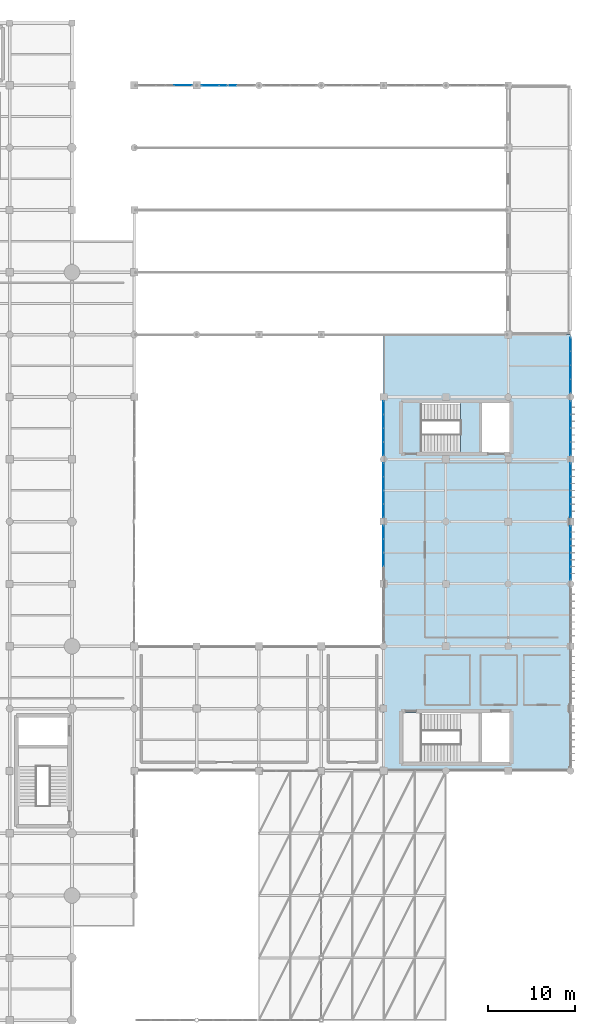
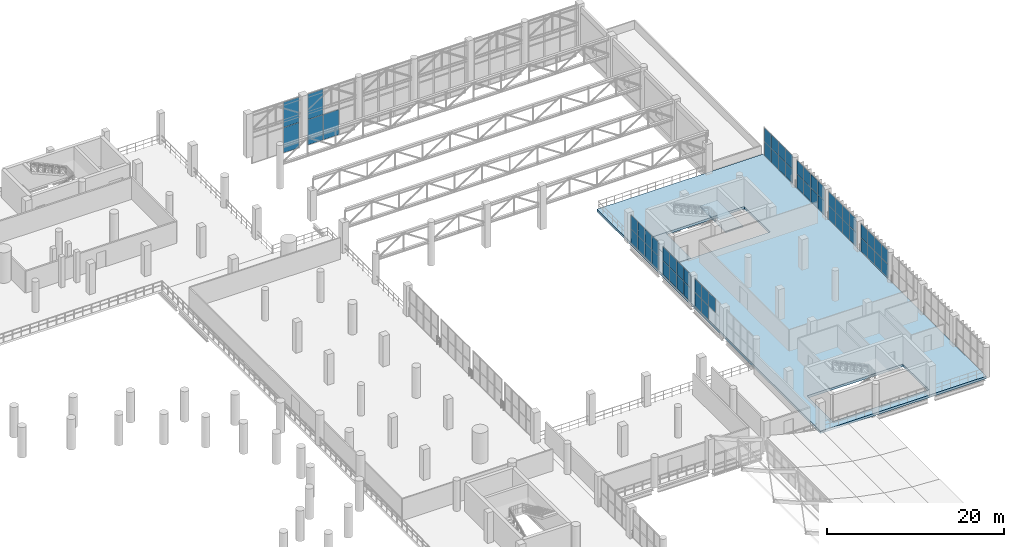
# One storey, part 127 of 153: 58 plates, 3 slabs, 10 elements without a shape of their own.
"""IFC4 building model written with IfcOpenShell, lengths in metres."""

import ifcopenshell
import ifcopenshell.guid

model = None  # the IFC model being written
_history = None  # IfcOwnerHistory: only IFC2X3 demands one
_inside = {}  # id of a spatial element -> (the spatial element, [elements in it])
_under = {}  # id of a project, library or spatial element -> (it, [spatial elements below it])
_declared = {}  # id of a project -> (the project, [libraries it declares])
_typed = {}  # id of a type object -> (the type object, [elements of that type])
_made_of = {}  # id of a material, layer set ... -> (it, [elements and type objects made of it])


def new_model(schema):
    """Start an empty IFC model of exactly this schema.

    Asked for "IFC4X3", IfcOpenShell would pick the latest addendum, in which some entities
    have other attributes; the version numbers below select the first issue.
    IFC2X3 requires an IfcOwnerHistory on every rooted entity: one is made here for all.
    """
    global model, _history
    if schema == "IFC4X3":
        model = ifcopenshell.file(schema_version=(4, 3, 0, 0))
    else:
        model = ifcopenshell.file(schema=schema)
    _inside.clear()
    _under.clear()
    _declared.clear()
    _typed.clear()
    _made_of.clear()
    _history = None
    if model.schema == "IFC2X3":
        org = make("IfcOrganization", Name="unknown")
        user = make(
            "IfcPersonAndOrganization",
            ThePerson=make("IfcPerson", FamilyName="unknown"),
            TheOrganization=org,
        )
        app = make(
            "IfcApplication",
            ApplicationDeveloper=org,
            Version="unknown",
            ApplicationFullName="unknown",
            ApplicationIdentifier="unknown",
        )
        _history = make(
            "IfcOwnerHistory",
            OwningUser=user,
            OwningApplication=app,
            ChangeAction="ADDED",
            CreationDate=0,
        )
    return model


def make(cls, **values):
    """One entity of the class cls with the attributes given. An attribute that is None is left unset."""
    return model.create_entity(
        cls, **{name: value for name, value in values.items() if value is not None}
    )


def rooted(cls, **values):
    """An entity with a GlobalId (a new one), such as an element, a storey or a relation."""
    return make(cls, GlobalId=ifcopenshell.guid.new(), OwnerHistory=_history, **values)


def si_unit(unit_type, name, prefix=None):
    """IfcSIUnit, for example si_unit("LENGTHUNIT", "METRE", prefix="MILLI")."""
    return make("IfcSIUnit", UnitType=unit_type, Prefix=prefix, Name=name)


def assignment(units):
    """IfcUnitAssignment: the units of a project."""
    return None if units is None else make("IfcUnitAssignment", Units=units)


def point(xyz):
    """IfcCartesianPoint."""
    return None if xyz is None else make("IfcCartesianPoint", Coordinates=xyz)


def direction(xyz):
    """IfcDirection."""
    return None if xyz is None else make("IfcDirection", DirectionRatios=xyz)


def frame(location, z_axis=None, x_axis=None):
    """IfcAxis2Placement3D, a coordinate frame: its origin and axes. An axis left out is left unset."""
    return make(
        "IfcAxis2Placement3D",
        Location=point(location),
        Axis=direction(z_axis),
        RefDirection=direction(x_axis),
    )


def frame_2d(location, x_axis=None):
    """IfcAxis2Placement2D, a coordinate frame in the plane: its origin and x axis."""
    return make(
        "IfcAxis2Placement2D", Location=point(location), RefDirection=direction(x_axis)
    )


def origin():
    """The frame at (0, 0, 0) with its axes left unset."""
    return frame((0.0, 0.0, 0.0))


def origin_2d():
    """The frame at (0, 0) in the plane with its x axis left unset."""
    return frame_2d((0.0, 0.0))


def place(relative_to, where):
    """IfcLocalPlacement: puts the frame where relative to a parent placement (None: the world)."""
    return make(
        "IfcLocalPlacement", PlacementRelTo=relative_to, RelativePlacement=where
    )


def context(
    kind, dimensions, precision=None, world=None, true_north=None, identifier=None
):
    """IfcGeometricRepresentationContext, for example the 3D "Model" context."""
    return make(
        "IfcGeometricRepresentationContext",
        ContextIdentifier=identifier,
        ContextType=kind,
        CoordinateSpaceDimension=dimensions,
        Precision=precision,
        WorldCoordinateSystem=world,
        TrueNorth=true_north,
    )


def subcontext(parent, identifier, kind, view, scale=None):
    """IfcGeometricRepresentationSubContext, for example "Body" below "Model"."""
    return make(
        "IfcGeometricRepresentationSubContext",
        ContextIdentifier=identifier,
        ContextType=kind,
        ParentContext=parent,
        TargetScale=scale,
        TargetView=view,
    )


def project(units=None, contexts=None):
    """IfcProject with its units and contexts."""
    return rooted(
        "IfcProject",
        Name="project",
        RepresentationContexts=contexts,
        UnitsInContext=assignment(units),
    )


def spatial(cls, under=None, at=None, **own):
    """A site, building, storey or space (cls), placed at a placement, below another one or the project."""
    s = rooted(cls, ObjectPlacement=at, **own)
    if under is not None:
        _under.setdefault(under.id(), (under, []))[1].append(s)
    return s


def polyline(points):
    """IfcPolyline through the points."""
    return make("IfcPolyline", Points=[point(p) for p in points])


def profile(cls, at=None, kind="AREA", **sizes):
    """A parametric profile (cls). Its sizes go by their IFC names, for example OverallWidth=200.0."""
    return make(cls, ProfileType=kind, Position=at, **sizes)


def rectangle(**sizes):
    """IfcRectangleProfileDef."""
    return profile("IfcRectangleProfileDef", **sizes)


def outline(outer, holes=None, kind="AREA"):
    """IfcArbitraryClosedProfileDef: a profile drawn as a closed curve; with holes, ...WithVoids."""
    if holes is None:
        return make("IfcArbitraryClosedProfileDef", ProfileType=kind, OuterCurve=outer)
    return make(
        "IfcArbitraryProfileDefWithVoids",
        ProfileType=kind,
        OuterCurve=outer,
        InnerCurves=holes,
    )


def extrude(swept, where, along, depth):
    """IfcExtrudedAreaSolid: the profile swept, set in the frame where, extruded along a direction by depth."""
    return make(
        "IfcExtrudedAreaSolid",
        SweptArea=swept,
        Position=where,
        ExtrudedDirection=direction(along),
        Depth=depth,
    )


def shape(context_of_items, identifier, shape_type, items):
    """IfcShapeRepresentation: the items that make up one representation, for example the "Body"."""
    return make(
        "IfcShapeRepresentation",
        ContextOfItems=context_of_items,
        RepresentationIdentifier=identifier,
        RepresentationType=shape_type,
        Items=items,
    )


def material(Name=None, Category=None):
    """IfcMaterial."""
    return make("IfcMaterial", Name=Name, Category=Category)


def layer(
    of_material, thickness, ventilated=None, Name=None, Category=None, Priority=None
):
    """IfcMaterialLayer: one layer of a wall or slab, of a material (None: an air gap)."""
    return make(
        "IfcMaterialLayer",
        Material=of_material,
        LayerThickness=thickness,
        IsVentilated=ventilated,
        Name=Name,
        Category=Category,
        Priority=Priority,
    )


def layer_set(layers, Name=None):
    """IfcMaterialLayerSet."""
    return make("IfcMaterialLayerSet", MaterialLayers=layers, LayerSetName=Name)


def made_of(thing, what):
    """Note that an element or type object is made of a material, layer set ...; save() writes the relation."""
    if what is not None:
        _made_of.setdefault(what.id(), (what, []))[1].append(thing)
    return thing


def type_object(cls, material=None, **own):
    """A type object (cls), such as IfcWallType, which elements share."""
    return made_of(rooted(cls, **own), material)


def element(
    cls,
    number,
    at=None,
    inside=None,
    cuts=None,
    type_object=None,
    material=None,
    context=None,
    identifier="Body",
    shape_type=None,
    held_by="IfcProductDefinitionShape",
    body=None,
    shapes=None,
    **own,
):
    """One element of the class cls, such as IfcWall. Its Tag is "e" and its number.

    at: its placement. inside: the storey or other place that contains it. cuts: it is an
    opening in that element (IfcRelVoidsElement). A single representation is given by context,
    identifier, shape_type and body (its items); several are given by shapes. held_by: the class
    of the entity that holds the representations. save() writes the other relations.
    """
    e = rooted(cls, Tag="e%d" % number, ObjectPlacement=at, **own)
    if body is not None:
        shapes = [shape(context, identifier, shape_type, body)]
    if shapes is not None:
        e.Representation = make(held_by, Representations=shapes)
    if inside is not None:
        _inside.setdefault(inside.id(), (inside, []))[1].append(e)
    if cuts is not None:
        rooted(
            "IfcRelVoidsElement", RelatingBuildingElement=cuts, RelatedOpeningElement=e
        )
    if type_object is not None:
        _typed.setdefault(type_object.id(), (type_object, []))[1].append(e)
    return made_of(e, material)


def aggregate(whole, parts):
    """IfcRelAggregates: a whole, such as a stair, and the parts it consists of."""
    return rooted("IfcRelAggregates", RelatingObject=whole, RelatedObjects=parts)


def save(model, path):
    """Write the relations noted so far, then the file.

    IfcRelAggregates (storeys below a building ...), IfcRelContainedInSpatialStructure (elements
    in a storey), IfcRelDefinesByType, IfcRelAssociatesMaterial and IfcRelDeclares: one each for
    every whole, place, type object, material and project.
    """
    for whole, parts in _under.values():
        aggregate(whole, parts)
    for where, things in _inside.values():
        rooted(
            "IfcRelContainedInSpatialStructure",
            RelatedElements=things,
            RelatingStructure=where,
        )
    for kind, things in _typed.values():
        rooted("IfcRelDefinesByType", RelatedObjects=things, RelatingType=kind)
    for what, things in _made_of.values():
        rooted("IfcRelAssociatesMaterial", RelatedObjects=things, RelatingMaterial=what)
    for by, libraries in _declared.values():
        rooted("IfcRelDeclares", RelatingContext=by, RelatedDefinitions=libraries)
    model.write(path)


model = new_model("IFC4")

# Units and contexts
model_context = context("Model", 3, precision=1e-05, world=origin(), true_north=direction((0.0, 1.0)))
body_context = subcontext(model_context, "Body", "Model", "MODEL_VIEW")
ifc_project = project(units=[si_unit("LENGTHUNIT", "METRE"), si_unit("AREAUNIT", "SQUARE_METRE"), si_unit("VOLUMEUNIT", "CUBIC_METRE"), si_unit("PLANEANGLEUNIT", "RADIAN"), si_unit("MASSUNIT", "GRAM", prefix="KILO")], contexts=[model_context])

# Site, building, storey
site_placement = place(None, origin())
site = spatial("IfcSite", under=ifc_project, at=site_placement, CompositionType="ELEMENT")
building_placement = place(site_placement, origin())
building = spatial("IfcBuilding", under=site, at=building_placement, Name="Qandorah Velis Arena", CompositionType="ELEMENT")
storey_placement = place(building_placement, frame((0.0, 0.0, 5.39990234375)))
storey = spatial("IfcBuildingStorey", under=building, at=storey_placement, Name="L01", CompositionType="ELEMENT", Elevation=5.39990234375)

# Curtain wall, plates
ifc_material_1 = material(Name="Solar-control low-E double glazing", Category="glass")
curtain_wall_type_1 = type_object("IfcCurtainWallType", Name="ARC-CW-SYS04", PredefinedType="USERDEFINED", material=ifc_material_1)
curtain_wall_1_placement = place(storey_placement, origin())
curtain_wall_1 = element("IfcCurtainWall", 1, at=curtain_wall_1_placement, inside=storey, type_object=curtain_wall_type_1, Name="Unitised curtain wall L01-124", ObjectType="UNITISED CURTAIN WALL", PredefinedType="USERDEFINED")
ifc_layer_1 = layer(ifc_material_1, 0.02392578125)
ifc_layer_set_1 = layer_set([ifc_layer_1], Name="Solar-control low-E double glazing")
plate_type_1 = type_object("IfcPlateType", Name="ARC-CWP-GLZ24", PredefinedType="CURTAIN_PANEL", material=ifc_layer_set_1)
plate_1_placement = place(storey_placement, frame((151.199951171875, 80.429443359375, 0.045166015625), z_axis=(0.0, 0.0, 1.0), x_axis=(0.0, 1.0, 0.0)))
plate_1 = element("IfcPlate", 2, at=plate_1_placement, type_object=plate_type_1, Name="CW04 panel 1.1", PredefinedType="CURTAIN_PANEL", context=body_context, shape_type="SweptSolid", body=[
    extrude(rectangle(XDim=1.518798828125, YDim=0.02392578125, at=origin_2d()), origin(), (0.0, 0.0, 1.0), 1.8974609375),
])
plate_2_placement = place(storey_placement, frame((151.199951171875, 80.429443359375, 1.9775390625), z_axis=(0.0, 0.0, 1.0), x_axis=(0.0, 1.0, 0.0)))
plate_2 = element("IfcPlate", 3, at=plate_2_placement, type_object=plate_type_1, Name="CW04 panel 1.2", PredefinedType="CURTAIN_PANEL", context=body_context, shape_type="SweptSolid", body=[
    extrude(rectangle(XDim=1.518798828125, YDim=0.02392578125, at=origin_2d()), origin(), (0.0, 0.0, 1.0), 1.8974609375),
])
plate_3_placement = place(storey_placement, frame((151.199951171875, 81.996826171875, 0.045166015625), z_axis=(0.0, 0.0, 1.0), x_axis=(0.0, 1.0, 0.0)))
plate_3 = element("IfcPlate", 4, at=plate_3_placement, type_object=plate_type_1, Name="CW04 panel 2.1", PredefinedType="CURTAIN_PANEL", context=body_context, shape_type="SweptSolid", body=[
    extrude(rectangle(XDim=1.54638671875, YDim=0.02392578125, at=origin_2d()), origin(), (0.0, 0.0, 1.0), 1.8974609375),
])
plate_4_placement = place(storey_placement, frame((151.199951171875, 81.996826171875, 1.9775390625), z_axis=(0.0, 0.0, 1.0), x_axis=(0.0, 1.0, 0.0)))
plate_4 = element("IfcPlate", 5, at=plate_4_placement, type_object=plate_type_1, Name="CW04 panel 2.2", PredefinedType="CURTAIN_PANEL", context=body_context, shape_type="SweptSolid", body=[
    extrude(rectangle(XDim=1.54638671875, YDim=0.02392578125, at=origin_2d()), origin(), (0.0, 0.0, 1.0), 1.8974609375),
])
plate_5_placement = place(storey_placement, frame((151.199951171875, 83.578125, 0.045166015625), z_axis=(0.0, 0.0, 1.0), x_axis=(0.0, 1.0, 0.0)))
plate_5 = element("IfcPlate", 6, at=plate_5_placement, type_object=plate_type_1, Name="CW04 panel 3.1", PredefinedType="CURTAIN_PANEL", context=body_context, shape_type="SweptSolid", body=[
    extrude(rectangle(XDim=1.54638671875, YDim=0.02392578125, at=origin_2d()), origin(), (0.0, 0.0, 1.0), 1.8974609375),
])
plate_6_placement = place(storey_placement, frame((151.199951171875, 83.578125, 1.9775390625), z_axis=(0.0, 0.0, 1.0), x_axis=(0.0, 1.0, 0.0)))
plate_6 = element("IfcPlate", 7, at=plate_6_placement, type_object=plate_type_1, Name="CW04 panel 3.2", PredefinedType="CURTAIN_PANEL", context=body_context, shape_type="SweptSolid", body=[
    extrude(rectangle(XDim=1.54638671875, YDim=0.02392578125, at=origin_2d()), origin(), (0.0, 0.0, 1.0), 1.8974609375),
])
plate_7_placement = place(storey_placement, frame((151.199951171875, 85.1455078125, 0.045166015625), z_axis=(0.0, 0.0, 1.0), x_axis=(0.0, 1.0, 0.0)))
plate_7 = element("IfcPlate", 8, at=plate_7_placement, type_object=plate_type_1, Name="CW04 panel 4.1", PredefinedType="CURTAIN_PANEL", context=body_context, shape_type="SweptSolid", body=[
    extrude(rectangle(XDim=1.518798828125, YDim=0.02392578125, at=origin_2d()), origin(), (0.0, 0.0, 1.0), 1.8974609375),
])
plate_8_placement = place(storey_placement, frame((151.199951171875, 85.1455078125, 1.9775390625), z_axis=(0.0, 0.0, 1.0), x_axis=(0.0, 1.0, 0.0)))
plate_8 = element("IfcPlate", 9, at=plate_8_placement, type_object=plate_type_1, Name="CW04 panel 4.2", PredefinedType="CURTAIN_PANEL", context=body_context, shape_type="SweptSolid", body=[
    extrude(rectangle(XDim=1.518798828125, YDim=0.02392578125, at=origin_2d()), origin(), (0.0, 0.0, 1.0), 1.8974609375),
])
aggregate(curtain_wall_1, [plate_1, plate_2, plate_3, plate_4, plate_5, plate_6, plate_7, plate_8])

curtain_wall_type_2 = type_object("IfcCurtainWallType", Name="ARC-CW-SYS24", PredefinedType="USERDEFINED", material=ifc_material_1)
curtain_wall_2_placement = place(storey_placement, origin())
curtain_wall_2 = element("IfcCurtainWall", 10, at=curtain_wall_2_placement, inside=storey, type_object=curtain_wall_type_2, Name="Unitised curtain wall L01-144", ObjectType="UNITISED CURTAIN WALL", PredefinedType="USERDEFINED")
plate_9_placement = place(storey_placement, frame((172.800048828125, 87.648193359375, 0.045166015625), z_axis=(0.0, 0.0, 1.0), x_axis=(0.0, 1.0, 0.0)))
plate_9 = element("IfcPlate", 11, at=plate_9_placement, type_object=plate_type_1, Name="CW24 panel 1.1", PredefinedType="CURTAIN_PANEL", context=body_context, shape_type="SweptSolid", body=[
    extrude(rectangle(XDim=1.55615234375, YDim=0.02392578125, at=origin_2d()), origin(), (0.0, 0.0, 1.0), 1.8974609375),
])
plate_10_placement = place(storey_placement, frame((172.800048828125, 87.648193359375, 1.9775390625), z_axis=(0.0, 0.0, 1.0), x_axis=(0.0, 1.0, 0.0)))
plate_10 = element("IfcPlate", 12, at=plate_10_placement, type_object=plate_type_1, Name="CW24 panel 1.2", PredefinedType="CURTAIN_PANEL", context=body_context, shape_type="SweptSolid", body=[
    extrude(rectangle(XDim=1.55615234375, YDim=0.02392578125, at=origin_2d()), origin(), (0.0, 0.0, 1.0), 1.8974609375),
])
plate_11_placement = place(storey_placement, frame((172.800048828125, 89.253173828125, 0.045166015625), z_axis=(0.0, 0.0, 1.0), x_axis=(0.0, 1.0, 0.0)))
plate_11 = element("IfcPlate", 13, at=plate_11_placement, type_object=plate_type_1, Name="CW24 panel 2.1", PredefinedType="CURTAIN_PANEL", context=body_context, shape_type="SweptSolid", body=[
    extrude(rectangle(XDim=1.583740234375, YDim=0.02392578125, at=origin_2d()), origin(), (0.0, 0.0, 1.0), 1.8974609375),
])
plate_12_placement = place(storey_placement, frame((172.800048828125, 89.253173828125, 1.9775390625), z_axis=(0.0, 0.0, 1.0), x_axis=(0.0, 1.0, 0.0)))
plate_12 = element("IfcPlate", 14, at=plate_12_placement, type_object=plate_type_1, Name="CW24 panel 2.2", PredefinedType="CURTAIN_PANEL", context=body_context, shape_type="SweptSolid", body=[
    extrude(rectangle(XDim=1.583740234375, YDim=0.02392578125, at=origin_2d()), origin(), (0.0, 0.0, 1.0), 1.8974609375),
])
plate_13_placement = place(storey_placement, frame((172.800048828125, 90.871826171875, 0.045166015625), z_axis=(0.0, 0.0, 1.0), x_axis=(0.0, 1.0, 0.0)))
plate_13 = element("IfcPlate", 15, at=plate_13_placement, type_object=plate_type_1, Name="CW24 panel 3.1", PredefinedType="CURTAIN_PANEL", context=body_context, shape_type="SweptSolid", body=[
    extrude(rectangle(XDim=1.583740234375, YDim=0.02392578125, at=origin_2d()), origin(), (0.0, 0.0, 1.0), 1.8974609375),
])
plate_14_placement = place(storey_placement, frame((172.800048828125, 90.871826171875, 1.9775390625), z_axis=(0.0, 0.0, 1.0), x_axis=(0.0, 1.0, 0.0)))
plate_14 = element("IfcPlate", 16, at=plate_14_placement, type_object=plate_type_1, Name="CW24 panel 3.2", PredefinedType="CURTAIN_PANEL", context=body_context, shape_type="SweptSolid", body=[
    extrude(rectangle(XDim=1.583740234375, YDim=0.02392578125, at=origin_2d()), origin(), (0.0, 0.0, 1.0), 1.8974609375),
])
plate_15_placement = place(storey_placement, frame((172.800048828125, 92.476806640625, 0.045166015625), z_axis=(0.0, 0.0, 1.0), x_axis=(0.0, 1.0, 0.0)))
plate_15 = element("IfcPlate", 17, at=plate_15_placement, type_object=plate_type_1, Name="CW24 panel 4.1", PredefinedType="CURTAIN_PANEL", context=body_context, shape_type="SweptSolid", body=[
    extrude(rectangle(XDim=1.55615234375, YDim=0.02392578125, at=origin_2d()), origin(), (0.0, 0.0, 1.0), 1.8974609375),
])
plate_16_placement = place(storey_placement, frame((172.800048828125, 92.476806640625, 1.9775390625), z_axis=(0.0, 0.0, 1.0), x_axis=(0.0, 1.0, 0.0)))
plate_16 = element("IfcPlate", 18, at=plate_16_placement, type_object=plate_type_1, Name="CW24 panel 4.2", PredefinedType="CURTAIN_PANEL", context=body_context, shape_type="SweptSolid", body=[
    extrude(rectangle(XDim=1.55615234375, YDim=0.02392578125, at=origin_2d()), origin(), (0.0, 0.0, 1.0), 1.8974609375),
])
aggregate(curtain_wall_2, [plate_9, plate_10, plate_11, plate_12, plate_13, plate_14, plate_15, plate_16])

curtain_wall_type_3 = type_object("IfcCurtainWallType", Name="ARC-CW-SYS15", PredefinedType="USERDEFINED", material=ifc_material_1)
curtain_wall_3_placement = place(storey_placement, origin())
curtain_wall_3 = element("IfcCurtainWall", 19, at=curtain_wall_3_placement, inside=storey, type_object=curtain_wall_type_3, Name="Unitised curtain wall L01-159", ObjectType="UNITISED CURTAIN WALL", PredefinedType="USERDEFINED")
plate_17_placement = place(storey_placement, frame((128.0224609375, 122.39990234375, -1.25), z_axis=(0.0, 0.0, 1.0), x_axis=(1.0, 0.0, 0.0)))
plate_17 = element("IfcPlate", 20, at=plate_17_placement, type_object=plate_type_1, Name="CW15 panel 3.1", PredefinedType="CURTAIN_PANEL", context=body_context, shape_type="SweptSolid", body=[
    extrude(rectangle(XDim=2.0048828125, YDim=0.02392578125, at=origin_2d()), origin(), (0.0, 0.0, 1.0), 3.469970703125),
])
plate_18_placement = place(storey_placement, frame((128.0224609375, 122.39990234375, 2.26025390625), z_axis=(0.0, 0.0, 1.0), x_axis=(1.0, 0.0, 0.0)))
plate_18 = element("IfcPlate", 21, at=plate_18_placement, type_object=plate_type_1, Name="CW15 panel 3.2", PredefinedType="CURTAIN_PANEL", context=body_context, shape_type="SweptSolid", body=[
    extrude(rectangle(XDim=2.0048828125, YDim=0.02392578125, at=origin_2d()), origin(), (0.0, 0.0, 1.0), 3.469970703125),
])
aggregate(curtain_wall_3, [plate_17, plate_18])

curtain_wall_type_4 = type_object("IfcCurtainWallType", Name="ARC-CW-SYS03", PredefinedType="USERDEFINED", material=ifc_material_1)
curtain_wall_4_placement = place(storey_placement, origin())
curtain_wall_4 = element("IfcCurtainWall", 22, at=curtain_wall_4_placement, inside=storey, type_object=curtain_wall_type_4, Name="Unitised curtain wall L01-123", ObjectType="UNITISED CURTAIN WALL", PredefinedType="USERDEFINED")
ifc_layer_2 = layer(ifc_material_1, 0.028076171875)
ifc_layer_set_2 = layer_set([ifc_layer_2], Name="Solar-control low-E double glazing")
plate_type_2 = type_object("IfcPlateType", Name="ARC-CWP-GLZ28", PredefinedType="CURTAIN_PANEL", material=ifc_layer_set_2)
plate_19_placement = place(storey_placement, frame((151.199951171875, 73.233642578125, 0.05029296875), z_axis=(0.0, 0.0, 1.0), x_axis=(0.0, 1.0, 0.0)))
plate_19 = element("IfcPlate", 23, at=plate_19_placement, type_object=plate_type_2, Name="CW03 panel 1.1", PredefinedType="CURTAIN_PANEL", context=body_context, shape_type="SweptSolid", body=[
    extrude(rectangle(XDim=1.517578125, YDim=0.028076171875, at=origin_2d()), origin(), (0.0, 0.0, 1.0), 1.889892578125),
])
plate_20_placement = place(storey_placement, frame((151.199951171875, 73.233642578125, 1.97998046875), z_axis=(0.0, 0.0, 1.0), x_axis=(0.0, 1.0, 0.0)))
plate_20 = element("IfcPlate", 24, at=plate_20_placement, type_object=plate_type_2, Name="CW03 panel 1.2", PredefinedType="CURTAIN_PANEL", context=body_context, shape_type="SweptSolid", body=[
    extrude(rectangle(XDim=1.517578125, YDim=0.028076171875, at=origin_2d()), origin(), (0.0, 0.0, 1.0), 1.889892578125),
])
plate_21_placement = place(storey_placement, frame((151.199951171875, 74.80615234375, 0.05029296875), z_axis=(0.0, 0.0, 1.0), x_axis=(0.0, 1.0, 0.0)))
plate_21 = element("IfcPlate", 25, at=plate_21_placement, type_object=plate_type_2, Name="CW03 panel 2.1", PredefinedType="CURTAIN_PANEL", context=body_context, shape_type="SweptSolid", body=[
    extrude(rectangle(XDim=1.547607421875, YDim=0.028076171875, at=origin_2d()), origin(), (0.0, 0.0, 1.0), 1.889892578125),
])
plate_22_placement = place(storey_placement, frame((151.199951171875, 74.80615234375, 1.97998046875), z_axis=(0.0, 0.0, 1.0), x_axis=(0.0, 1.0, 0.0)))
plate_22 = element("IfcPlate", 26, at=plate_22_placement, type_object=plate_type_2, Name="CW03 panel 2.2", PredefinedType="CURTAIN_PANEL", context=body_context, shape_type="SweptSolid", body=[
    extrude(rectangle(XDim=1.547607421875, YDim=0.028076171875, at=origin_2d()), origin(), (0.0, 0.0, 1.0), 1.889892578125),
])
plate_23_placement = place(storey_placement, frame((151.199951171875, 76.393798828125, 0.05029296875), z_axis=(0.0, 0.0, 1.0), x_axis=(0.0, 1.0, 0.0)))
plate_23 = element("IfcPlate", 27, at=plate_23_placement, type_object=plate_type_2, Name="CW03 panel 3.1", PredefinedType="CURTAIN_PANEL", context=body_context, shape_type="SweptSolid", body=[
    extrude(rectangle(XDim=1.547607421875, YDim=0.028076171875, at=origin_2d()), origin(), (0.0, 0.0, 1.0), 1.889892578125),
])
plate_24_placement = place(storey_placement, frame((151.199951171875, 76.393798828125, 1.97998046875), z_axis=(0.0, 0.0, 1.0), x_axis=(0.0, 1.0, 0.0)))
plate_24 = element("IfcPlate", 28, at=plate_24_placement, type_object=plate_type_2, Name="CW03 panel 3.2", PredefinedType="CURTAIN_PANEL", context=body_context, shape_type="SweptSolid", body=[
    extrude(rectangle(XDim=1.547607421875, YDim=0.028076171875, at=origin_2d()), origin(), (0.0, 0.0, 1.0), 1.889892578125),
])
plate_25_placement = place(storey_placement, frame((151.199951171875, 77.96630859375, 0.05029296875), z_axis=(0.0, 0.0, 1.0), x_axis=(0.0, 1.0, 0.0)))
plate_25 = element("IfcPlate", 29, at=plate_25_placement, type_object=plate_type_2, Name="CW03 panel 4.1", PredefinedType="CURTAIN_PANEL", context=body_context, shape_type="SweptSolid", body=[
    extrude(rectangle(XDim=1.517578125, YDim=0.028076171875, at=origin_2d()), origin(), (0.0, 0.0, 1.0), 1.889892578125),
])
plate_26_placement = place(storey_placement, frame((151.199951171875, 77.96630859375, 1.97998046875), z_axis=(0.0, 0.0, 1.0), x_axis=(0.0, 1.0, 0.0)))
plate_26 = element("IfcPlate", 30, at=plate_26_placement, type_object=plate_type_2, Name="CW03 panel 4.2", PredefinedType="CURTAIN_PANEL", context=body_context, shape_type="SweptSolid", body=[
    extrude(rectangle(XDim=1.517578125, YDim=0.028076171875, at=origin_2d()), origin(), (0.0, 0.0, 1.0), 1.889892578125),
])
aggregate(curtain_wall_4, [plate_19, plate_20, plate_21, plate_22, plate_23, plate_24, plate_25, plate_26])

curtain_wall_type_5 = type_object("IfcCurtainWallType", Name="ARC-CW-SYS23", PredefinedType="USERDEFINED", material=ifc_material_1)
curtain_wall_5_placement = place(storey_placement, origin())
curtain_wall_5 = element("IfcCurtainWall", 31, at=curtain_wall_5_placement, inside=storey, type_object=curtain_wall_type_5, Name="Unitised curtain wall L01-143", ObjectType="UNITISED CURTAIN WALL", PredefinedType="USERDEFINED")
plate_27_placement = place(storey_placement, frame((172.800048828125, 80.433837890625, 0.05029296875), z_axis=(0.0, 0.0, 1.0), x_axis=(0.0, 1.0, 0.0)))
plate_27 = element("IfcPlate", 32, at=plate_27_placement, type_object=plate_type_2, Name="CW23 panel 1.1", PredefinedType="CURTAIN_PANEL", context=body_context, shape_type="SweptSolid", body=[
    extrude(rectangle(XDim=1.517578125, YDim=0.028076171875, at=origin_2d()), origin(), (0.0, 0.0, 1.0), 1.889892578125),
])
plate_28_placement = place(storey_placement, frame((172.800048828125, 80.433837890625, 1.97998046875), z_axis=(0.0, 0.0, 1.0), x_axis=(0.0, 1.0, 0.0)))
plate_28 = element("IfcPlate", 33, at=plate_28_placement, type_object=plate_type_2, Name="CW23 panel 1.2", PredefinedType="CURTAIN_PANEL", context=body_context, shape_type="SweptSolid", body=[
    extrude(rectangle(XDim=1.517578125, YDim=0.028076171875, at=origin_2d()), origin(), (0.0, 0.0, 1.0), 1.889892578125),
])
plate_29_placement = place(storey_placement, frame((172.800048828125, 82.00634765625, 0.05029296875), z_axis=(0.0, 0.0, 1.0), x_axis=(0.0, 1.0, 0.0)))
plate_29 = element("IfcPlate", 34, at=plate_29_placement, type_object=plate_type_2, Name="CW23 panel 2.1", PredefinedType="CURTAIN_PANEL", context=body_context, shape_type="SweptSolid", body=[
    extrude(rectangle(XDim=1.547607421875, YDim=0.028076171875, at=origin_2d()), origin(), (0.0, 0.0, 1.0), 1.889892578125),
])
plate_30_placement = place(storey_placement, frame((172.800048828125, 82.00634765625, 1.97998046875), z_axis=(0.0, 0.0, 1.0), x_axis=(0.0, 1.0, 0.0)))
plate_30 = element("IfcPlate", 35, at=plate_30_placement, type_object=plate_type_2, Name="CW23 panel 2.2", PredefinedType="CURTAIN_PANEL", context=body_context, shape_type="SweptSolid", body=[
    extrude(rectangle(XDim=1.547607421875, YDim=0.028076171875, at=origin_2d()), origin(), (0.0, 0.0, 1.0), 1.889892578125),
])
plate_31_placement = place(storey_placement, frame((172.800048828125, 83.59375, 0.05029296875), z_axis=(0.0, 0.0, 1.0), x_axis=(0.0, 1.0, 0.0)))
plate_31 = element("IfcPlate", 36, at=plate_31_placement, type_object=plate_type_2, Name="CW23 panel 3.1", PredefinedType="CURTAIN_PANEL", context=body_context, shape_type="SweptSolid", body=[
    extrude(rectangle(XDim=1.547607421875, YDim=0.028076171875, at=origin_2d()), origin(), (0.0, 0.0, 1.0), 1.889892578125),
])
plate_32_placement = place(storey_placement, frame((172.800048828125, 83.59375, 1.97998046875), z_axis=(0.0, 0.0, 1.0), x_axis=(0.0, 1.0, 0.0)))
plate_32 = element("IfcPlate", 37, at=plate_32_placement, type_object=plate_type_2, Name="CW23 panel 3.2", PredefinedType="CURTAIN_PANEL", context=body_context, shape_type="SweptSolid", body=[
    extrude(rectangle(XDim=1.547607421875, YDim=0.028076171875, at=origin_2d()), origin(), (0.0, 0.0, 1.0), 1.889892578125),
])
plate_33_placement = place(storey_placement, frame((172.800048828125, 85.166259765625, 0.05029296875), z_axis=(0.0, 0.0, 1.0), x_axis=(0.0, 1.0, 0.0)))
plate_33 = element("IfcPlate", 38, at=plate_33_placement, type_object=plate_type_2, Name="CW23 panel 4.1", PredefinedType="CURTAIN_PANEL", context=body_context, shape_type="SweptSolid", body=[
    extrude(rectangle(XDim=1.517578125, YDim=0.028076171875, at=origin_2d()), origin(), (0.0, 0.0, 1.0), 1.889892578125),
])
plate_34_placement = place(storey_placement, frame((172.800048828125, 85.166259765625, 1.97998046875), z_axis=(0.0, 0.0, 1.0), x_axis=(0.0, 1.0, 0.0)))
plate_34 = element("IfcPlate", 39, at=plate_34_placement, type_object=plate_type_2, Name="CW23 panel 4.2", PredefinedType="CURTAIN_PANEL", context=body_context, shape_type="SweptSolid", body=[
    extrude(rectangle(XDim=1.517578125, YDim=0.028076171875, at=origin_2d()), origin(), (0.0, 0.0, 1.0), 1.889892578125),
])
aggregate(curtain_wall_5, [plate_27, plate_28, plate_29, plate_30, plate_31, plate_32, plate_33, plate_34])

curtain_wall_type_6 = type_object("IfcCurtainWallType", Name="ARC-CW-SYS02", PredefinedType="USERDEFINED", material=ifc_material_1)
curtain_wall_6_placement = place(storey_placement, origin())
curtain_wall_6 = element("IfcCurtainWall", 40, at=curtain_wall_6_placement, inside=storey, type_object=curtain_wall_type_6, Name="Unitised curtain wall L01-122", ObjectType="UNITISED CURTAIN WALL", PredefinedType="USERDEFINED")
ifc_layer_3 = layer(ifc_material_1, 0.030029296875)
ifc_layer_set_3 = layer_set([ifc_layer_3], Name="Solar-control low-E double glazing")
plate_type_3 = type_object("IfcPlateType", Name="ARC-CWP-GLZ30", PredefinedType="CURTAIN_PANEL", material=ifc_layer_set_3)
plate_35_placement = place(storey_placement, frame((151.199951171875, 67.621826171875, 1.982421875), z_axis=(0.0, 0.0, 1.0), x_axis=(0.0, 1.0, 0.0)))
plate_35 = element("IfcPlate", 41, at=plate_35_placement, type_object=plate_type_3, Name="CW02 panel 2.2", PredefinedType="CURTAIN_PANEL", context=body_context, shape_type="SweptSolid", body=[
    extrude(rectangle(XDim=1.536376953125, YDim=0.030029296875, at=origin_2d()), origin(), (0.0, 0.0, 1.0), 1.882568359375),
])
plate_36_placement = place(storey_placement, frame((151.199951171875, 69.203125, 0.05517578125), z_axis=(0.0, 0.0, 1.0), x_axis=(0.0, 1.0, 0.0)))
plate_36 = element("IfcPlate", 42, at=plate_36_placement, type_object=plate_type_3, Name="CW02 panel 3.1", PredefinedType="CURTAIN_PANEL", context=body_context, shape_type="SweptSolid", body=[
    extrude(rectangle(XDim=1.536376953125, YDim=0.030029296875, at=origin_2d()), origin(), (0.0, 0.0, 1.0), 1.882568359375),
])
plate_37_placement = place(storey_placement, frame((151.199951171875, 69.203125, 1.982421875), z_axis=(0.0, 0.0, 1.0), x_axis=(0.0, 1.0, 0.0)))
plate_37 = element("IfcPlate", 43, at=plate_37_placement, type_object=plate_type_3, Name="CW02 panel 3.2", PredefinedType="CURTAIN_PANEL", context=body_context, shape_type="SweptSolid", body=[
    extrude(rectangle(XDim=1.536376953125, YDim=0.030029296875, at=origin_2d()), origin(), (0.0, 0.0, 1.0), 1.882568359375),
])
plate_38_placement = place(storey_placement, frame((151.199951171875, 70.76806640625, 0.05517578125), z_axis=(0.0, 0.0, 1.0), x_axis=(0.0, 1.0, 0.0)))
plate_38 = element("IfcPlate", 44, at=plate_38_placement, type_object=plate_type_3, Name="CW02 panel 4.1", PredefinedType="CURTAIN_PANEL", context=body_context, shape_type="SweptSolid", body=[
    extrude(rectangle(XDim=1.50390625, YDim=0.030029296875, at=origin_2d()), origin(), (0.0, 0.0, 1.0), 1.882568359375),
])
plate_39_placement = place(storey_placement, frame((151.199951171875, 70.76806640625, 1.982421875), z_axis=(0.0, 0.0, 1.0), x_axis=(0.0, 1.0, 0.0)))
plate_39 = element("IfcPlate", 45, at=plate_39_placement, type_object=plate_type_3, Name="CW02 panel 4.2", PredefinedType="CURTAIN_PANEL", context=body_context, shape_type="SweptSolid", body=[
    extrude(rectangle(XDim=1.50390625, YDim=0.030029296875, at=origin_2d()), origin(), (0.0, 0.0, 1.0), 1.882568359375),
])
aggregate(curtain_wall_6, [plate_35, plate_36, plate_37, plate_38, plate_39])

curtain_wall_type_7 = type_object("IfcCurtainWallType", Name="ARC-CW-SYS22", PredefinedType="USERDEFINED", material=ifc_material_1)
curtain_wall_7_placement = place(storey_placement, origin())
curtain_wall_7 = element("IfcCurtainWall", 46, at=curtain_wall_7_placement, inside=storey, type_object=curtain_wall_type_7, Name="Unitised curtain wall L01-142", ObjectType="UNITISED CURTAIN WALL", PredefinedType="USERDEFINED")
plate_40_placement = place(storey_placement, frame((172.800048828125, 73.2568359375, 0.05517578125), z_axis=(0.0, 0.0, 1.0), x_axis=(0.0, 1.0, 0.0)))
plate_40 = element("IfcPlate", 47, at=plate_40_placement, type_object=plate_type_3, Name="CW22 panel 1.1", PredefinedType="CURTAIN_PANEL", context=body_context, shape_type="SweptSolid", body=[
    extrude(rectangle(XDim=1.50390625, YDim=0.030029296875, at=origin_2d()), origin(), (0.0, 0.0, 1.0), 1.882568359375),
])
plate_41_placement = place(storey_placement, frame((172.800048828125, 73.2568359375, 1.982421875), z_axis=(0.0, 0.0, 1.0), x_axis=(0.0, 1.0, 0.0)))
plate_41 = element("IfcPlate", 48, at=plate_41_placement, type_object=plate_type_3, Name="CW22 panel 1.2", PredefinedType="CURTAIN_PANEL", context=body_context, shape_type="SweptSolid", body=[
    extrude(rectangle(XDim=1.50390625, YDim=0.030029296875, at=origin_2d()), origin(), (0.0, 0.0, 1.0), 1.882568359375),
])
plate_42_placement = place(storey_placement, frame((172.800048828125, 74.82177734375, 0.05517578125), z_axis=(0.0, 0.0, 1.0), x_axis=(0.0, 1.0, 0.0)))
plate_42 = element("IfcPlate", 49, at=plate_42_placement, type_object=plate_type_3, Name="CW22 panel 2.1", PredefinedType="CURTAIN_PANEL", context=body_context, shape_type="SweptSolid", body=[
    extrude(rectangle(XDim=1.536376953125, YDim=0.030029296875, at=origin_2d()), origin(), (0.0, 0.0, 1.0), 1.882568359375),
])
plate_43_placement = place(storey_placement, frame((172.800048828125, 74.82177734375, 1.982421875), z_axis=(0.0, 0.0, 1.0), x_axis=(0.0, 1.0, 0.0)))
plate_43 = element("IfcPlate", 50, at=plate_43_placement, type_object=plate_type_3, Name="CW22 panel 2.2", PredefinedType="CURTAIN_PANEL", context=body_context, shape_type="SweptSolid", body=[
    extrude(rectangle(XDim=1.536376953125, YDim=0.030029296875, at=origin_2d()), origin(), (0.0, 0.0, 1.0), 1.882568359375),
])
plate_44_placement = place(storey_placement, frame((172.800048828125, 76.403076171875, 0.05517578125), z_axis=(0.0, 0.0, 1.0), x_axis=(0.0, 1.0, 0.0)))
plate_44 = element("IfcPlate", 51, at=plate_44_placement, type_object=plate_type_3, Name="CW22 panel 3.1", PredefinedType="CURTAIN_PANEL", context=body_context, shape_type="SweptSolid", body=[
    extrude(rectangle(XDim=1.536376953125, YDim=0.030029296875, at=origin_2d()), origin(), (0.0, 0.0, 1.0), 1.882568359375),
])
plate_45_placement = place(storey_placement, frame((172.800048828125, 76.403076171875, 1.982421875), z_axis=(0.0, 0.0, 1.0), x_axis=(0.0, 1.0, 0.0)))
plate_45 = element("IfcPlate", 52, at=plate_45_placement, type_object=plate_type_3, Name="CW22 panel 3.2", PredefinedType="CURTAIN_PANEL", context=body_context, shape_type="SweptSolid", body=[
    extrude(rectangle(XDim=1.536376953125, YDim=0.030029296875, at=origin_2d()), origin(), (0.0, 0.0, 1.0), 1.882568359375),
])
plate_46_placement = place(storey_placement, frame((172.800048828125, 77.968017578125, 0.05517578125), z_axis=(0.0, 0.0, 1.0), x_axis=(0.0, 1.0, 0.0)))
plate_46 = element("IfcPlate", 53, at=plate_46_placement, type_object=plate_type_3, Name="CW22 panel 4.1", PredefinedType="CURTAIN_PANEL", context=body_context, shape_type="SweptSolid", body=[
    extrude(rectangle(XDim=1.50390625, YDim=0.030029296875, at=origin_2d()), origin(), (0.0, 0.0, 1.0), 1.882568359375),
])
plate_47_placement = place(storey_placement, frame((172.800048828125, 77.968017578125, 1.982421875), z_axis=(0.0, 0.0, 1.0), x_axis=(0.0, 1.0, 0.0)))
plate_47 = element("IfcPlate", 54, at=plate_47_placement, type_object=plate_type_3, Name="CW22 panel 4.2", PredefinedType="CURTAIN_PANEL", context=body_context, shape_type="SweptSolid", body=[
    extrude(rectangle(XDim=1.50390625, YDim=0.030029296875, at=origin_2d()), origin(), (0.0, 0.0, 1.0), 1.882568359375),
])
aggregate(curtain_wall_7, [plate_40, plate_41, plate_42, plate_43, plate_44, plate_45, plate_46, plate_47])

curtain_wall_type_8 = type_object("IfcCurtainWallType", Name="ARC-CW-SYS21", PredefinedType="USERDEFINED", material=ifc_material_1)
curtain_wall_8_placement = place(storey_placement, origin())
curtain_wall_8 = element("IfcCurtainWall", 55, at=curtain_wall_8_placement, inside=storey, type_object=curtain_wall_type_8, Name="Unitised curtain wall L01-141", ObjectType="UNITISED CURTAIN WALL", PredefinedType="USERDEFINED")
ifc_layer_4 = layer(ifc_material_1, 0.035888671875)
ifc_layer_set_4 = layer_set([ifc_layer_4], Name="Solar-control low-E double glazing")
plate_type_4 = type_object("IfcPlateType", Name="ARC-CWP-GLZ36", PredefinedType="CURTAIN_PANEL", material=ifc_layer_set_4)
plate_48_placement = place(storey_placement, frame((172.800048828125, 66.034423828125, 0.06494140625), z_axis=(0.0, 0.0, 1.0), x_axis=(0.0, 1.0, 0.0)))
plate_48 = element("IfcPlate", 56, at=plate_48_placement, type_object=plate_type_4, Name="CW21 panel 1.1", PredefinedType="CURTAIN_PANEL", context=body_context, shape_type="SweptSolid", body=[
    extrude(rectangle(XDim=1.48876953125, YDim=0.035888671875, at=origin_2d()), origin(), (0.0, 0.0, 1.0), 1.867431640625),
])
plate_49_placement = place(storey_placement, frame((172.800048828125, 66.034423828125, 1.98779296875), z_axis=(0.0, 0.0, 1.0), x_axis=(0.0, 1.0, 0.0)))
plate_49 = element("IfcPlate", 57, at=plate_49_placement, type_object=plate_type_4, Name="CW21 panel 1.2", PredefinedType="CURTAIN_PANEL", context=body_context, shape_type="SweptSolid", body=[
    extrude(rectangle(XDim=1.48876953125, YDim=0.035888671875, at=origin_2d()), origin(), (0.0, 0.0, 1.0), 1.867431640625),
])
plate_50_placement = place(storey_placement, frame((172.800048828125, 67.596923828125, 0.06494140625), z_axis=(0.0, 0.0, 1.0), x_axis=(0.0, 1.0, 0.0)))
plate_50 = element("IfcPlate", 58, at=plate_50_placement, type_object=plate_type_4, Name="CW21 panel 2.1", PredefinedType="CURTAIN_PANEL", context=body_context, shape_type="SweptSolid", body=[
    extrude(rectangle(XDim=1.5263671875, YDim=0.035888671875, at=origin_2d()), origin(), (0.0, 0.0, 1.0), 1.867431640625),
])
plate_51_placement = place(storey_placement, frame((172.800048828125, 67.596923828125, 1.98779296875), z_axis=(0.0, 0.0, 1.0), x_axis=(0.0, 1.0, 0.0)))
plate_51 = element("IfcPlate", 59, at=plate_51_placement, type_object=plate_type_4, Name="CW21 panel 2.2", PredefinedType="CURTAIN_PANEL", context=body_context, shape_type="SweptSolid", body=[
    extrude(rectangle(XDim=1.5263671875, YDim=0.035888671875, at=origin_2d()), origin(), (0.0, 0.0, 1.0), 1.867431640625),
])
plate_52_placement = place(storey_placement, frame((172.800048828125, 69.17822265625, 0.06494140625), z_axis=(0.0, 0.0, 1.0), x_axis=(0.0, 1.0, 0.0)))
plate_52 = element("IfcPlate", 60, at=plate_52_placement, type_object=plate_type_4, Name="CW21 panel 3.1", PredefinedType="CURTAIN_PANEL", context=body_context, shape_type="SweptSolid", body=[
    extrude(rectangle(XDim=1.5263671875, YDim=0.035888671875, at=origin_2d()), origin(), (0.0, 0.0, 1.0), 1.867431640625),
])
plate_53_placement = place(storey_placement, frame((172.800048828125, 69.17822265625, 1.98779296875), z_axis=(0.0, 0.0, 1.0), x_axis=(0.0, 1.0, 0.0)))
plate_53 = element("IfcPlate", 61, at=plate_53_placement, type_object=plate_type_4, Name="CW21 panel 3.2", PredefinedType="CURTAIN_PANEL", context=body_context, shape_type="SweptSolid", body=[
    extrude(rectangle(XDim=1.5263671875, YDim=0.035888671875, at=origin_2d()), origin(), (0.0, 0.0, 1.0), 1.867431640625),
])
plate_54_placement = place(storey_placement, frame((172.800048828125, 70.74072265625, 0.06494140625), z_axis=(0.0, 0.0, 1.0), x_axis=(0.0, 1.0, 0.0)))
plate_54 = element("IfcPlate", 62, at=plate_54_placement, type_object=plate_type_4, Name="CW21 panel 4.1", PredefinedType="CURTAIN_PANEL", context=body_context, shape_type="SweptSolid", body=[
    extrude(rectangle(XDim=1.48876953125, YDim=0.035888671875, at=origin_2d()), origin(), (0.0, 0.0, 1.0), 1.867431640625),
])
plate_55_placement = place(storey_placement, frame((172.800048828125, 70.74072265625, 1.98779296875), z_axis=(0.0, 0.0, 1.0), x_axis=(0.0, 1.0, 0.0)))
plate_55 = element("IfcPlate", 63, at=plate_55_placement, type_object=plate_type_4, Name="CW21 panel 4.2", PredefinedType="CURTAIN_PANEL", context=body_context, shape_type="SweptSolid", body=[
    extrude(rectangle(XDim=1.48876953125, YDim=0.035888671875, at=origin_2d()), origin(), (0.0, 0.0, 1.0), 1.867431640625),
])
aggregate(curtain_wall_8, [plate_48, plate_49, plate_50, plate_51, plate_52, plate_53, plate_54, plate_55])

curtain_wall_type_9 = type_object("IfcCurtainWallType", Name="ARC-CW-SYS16", PredefinedType="USERDEFINED", material=ifc_material_1)
curtain_wall_9_placement = place(storey_placement, origin())
curtain_wall_9 = element("IfcCurtainWall", 64, at=curtain_wall_9_placement, inside=storey, type_object=curtain_wall_type_9, Name="Unitised curtain wall L01-160", ObjectType="UNITISED CURTAIN WALL", PredefinedType="USERDEFINED")
ifc_layer_5 = layer(ifc_material_1, 0.0439453125)
ifc_layer_set_5 = layer_set([ifc_layer_5], Name="Solar-control low-E double glazing")
plate_type_5 = type_object("IfcPlateType", Name="ARC-CWP-SPN44", PredefinedType="CURTAIN_PANEL", material=ifc_layer_set_5)
plate_56_placement = place(storey_placement, frame((131.163818359375, 122.39990234375, -1.2548828125), z_axis=(0.0, 0.0, 1.0), x_axis=(1.0, 0.0, 0.0)))
plate_56 = element("IfcPlate", 65, at=plate_56_placement, type_object=plate_type_5, Name="CW16 panel 1.1", PredefinedType="CURTAIN_PANEL", context=body_context, shape_type="SweptSolid", body=[
    extrude(rectangle(XDim=1.987548828125, YDim=0.0439453125, at=origin_2d()), origin(), (0.0, 0.0, 1.0), 3.4775390625),
])
plate_57_placement = place(storey_placement, frame((131.163818359375, 122.39990234375, 2.257568359375), z_axis=(0.0, 0.0, 1.0), x_axis=(1.0, 0.0, 0.0)))
plate_57 = element("IfcPlate", 66, at=plate_57_placement, type_object=plate_type_5, Name="CW16 panel 1.2", PredefinedType="CURTAIN_PANEL", context=body_context, shape_type="SweptSolid", body=[
    extrude(rectangle(XDim=1.987548828125, YDim=0.0439453125, at=origin_2d()), origin(), (0.0, 0.0, 1.0), 3.4775390625),
])
plate_58_placement = place(storey_placement, frame((133.199951171875, 122.39990234375, -1.2548828125), z_axis=(0.0, 0.0, 1.0), x_axis=(1.0, 0.0, 0.0)))
plate_58 = element("IfcPlate", 67, at=plate_58_placement, type_object=plate_type_5, Name="CW16 panel 2.1", PredefinedType="CURTAIN_PANEL", context=body_context, shape_type="SweptSolid", body=[
    extrude(rectangle(XDim=2.014892578125, YDim=0.0439453125, at=origin_2d()), origin(), (0.0, 0.0, 1.0), 3.4775390625),
])
aggregate(curtain_wall_9, [plate_56, plate_57, plate_58])

# Slabs
ifc_material_2 = material(Name="Concrete C40/50", Category="concrete")
ifc_layer_6 = layer(ifc_material_2, 0.340087890625)
ifc_layer_set_6 = layer_set([ifc_layer_6], Name="Concrete C40/50")
slab_type_1 = type_object("IfcSlabType", Name="STR-SLB-FL340", PredefinedType="FLOOR", material=ifc_layer_set_6)
slab_1_placement = place(storey_placement, frame((0.0, 0.0, -0.33984375)))
element("IfcSlab", 68, at=slab_1_placement, inside=storey, type_object=slab_type_1, Name="Structural floor slab L01_OASIS_EAST", PredefinedType="FLOOR", context=body_context, shape_type="SweptSolid", body=[
    extrude(outline(polyline([(172.800048828125, 43.199951171875), (151.199951171875, 43.199951171875), (151.199951171875, 93.60009765625), (172.800048828125, 93.60009765625), (172.800048828125, 43.199951171875)]), holes=[polyline([(155.554931640625, 44.14501953125), (165.85498046875, 44.14501953125), (165.85498046875, 49.955078125), (155.554931640625, 49.955078125), (153.344970703125, 49.955078125), (153.344970703125, 44.14501953125), (155.554931640625, 44.14501953125)]), polyline([(153.344970703125, 79.945068359375), (155.554931640625, 79.945068359375), (165.85498046875, 79.945068359375), (165.85498046875, 85.7548828125), (153.344970703125, 85.7548828125), (153.344970703125, 85.7548828125), (153.344970703125, 79.945068359375)])]), origin(), (0.0, 0.0, 1.0), 0.33984375),
])
ifc_layer_7 = layer(ifc_material_2, 0.219970703125)
ifc_layer_set_7 = layer_set([ifc_layer_7], Name="Concrete C40/50")
slab_type_2 = type_object("IfcSlabType", Name="STR-SLB-LND220", PredefinedType="LANDING", material=ifc_layer_set_7)
slab_2_placement = place(storey_placement, frame((0.0, 0.0, -0.219970703125)))
element("IfcSlab", 69, at=slab_2_placement, inside=storey, type_object=slab_type_2, Name="Stair ST8 storey landing slab L01", PredefinedType="LANDING", context=body_context, shape_type="SweptSolid", body=[
    extrude(outline(polyline([(153.35009765625, 79.949951171875), (155.550048828125, 79.949951171875), (155.550048828125, 85.75), (153.35009765625, 85.75), (153.35009765625, 79.949951171875)])), origin(), (0.0, 0.0, 1.0), 0.219970703125),
])

# Stair, slab
stair_type = type_object("IfcStairType", Name="ARC-ST-CORE42", PredefinedType="HALF_TURN_STAIR", material=ifc_material_2)
stair_placement = place(storey_placement, origin())
stair = element("IfcStair", 70, at=stair_placement, inside=storey, type_object=stair_type, Name="Protected exit stair ST8 (L01)", PredefinedType="HALF_TURN_STAIR")
slab_3_placement = place(storey_placement, frame((0.0, 0.0, 1.880126953125)))
slab_3 = element("IfcSlab", 71, at=slab_3_placement, type_object=slab_type_2, Name="ST8 landing 1", PredefinedType="LANDING", context=body_context, shape_type="SweptSolid", body=[
    extrude(outline(polyline([(160.0859375, 79.949951171875), (162.3359375, 79.949951171875), (162.3359375, 85.75), (160.0859375, 85.75), (160.0859375, 79.949951171875)])), origin(), (0.0, 0.0, 1.0), 0.219970703125),
])
aggregate(stair, [slab_3])

save(model, "model.ifc")
